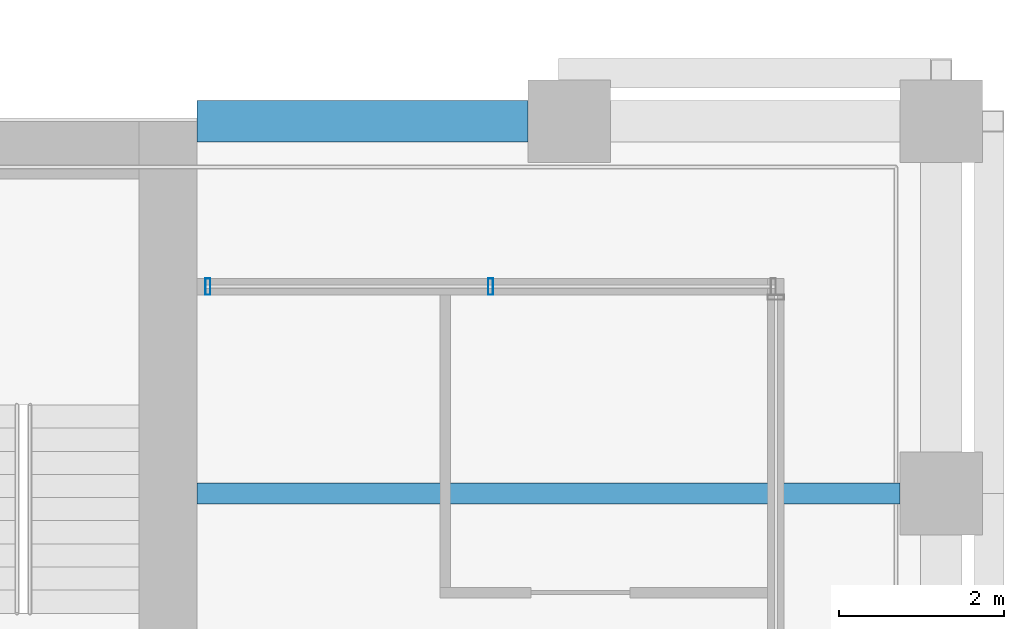
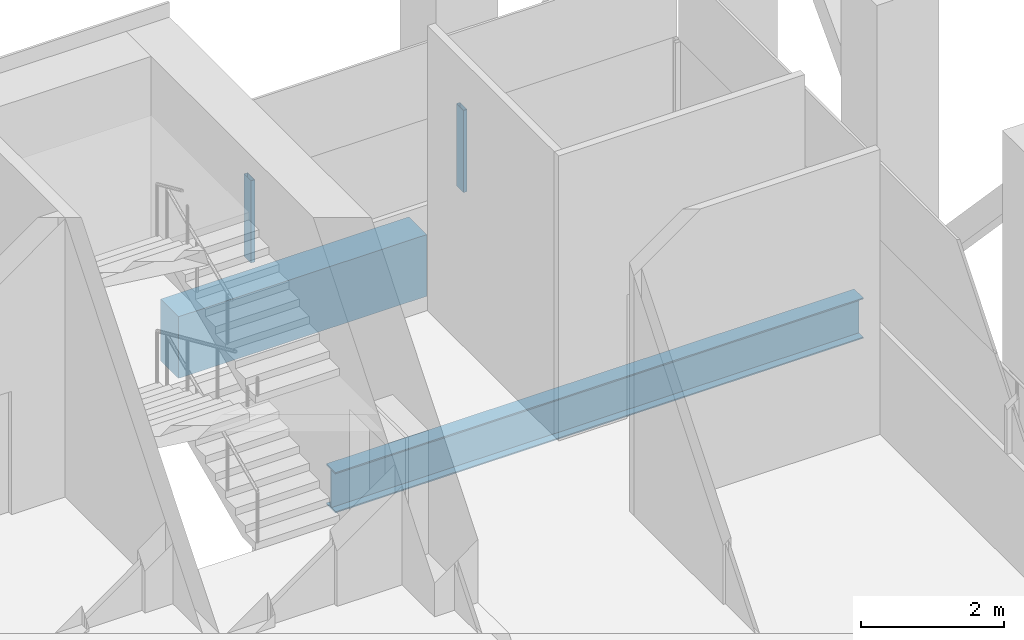
# One storey, part 27 of 48: 2 beams, 2 members, 1 element without a shape of its own.
"""IFC4 building model written with IfcOpenShell, lengths in metres."""

import ifcopenshell
import ifcopenshell.guid

model = None  # the IFC model being written
_history = None  # IfcOwnerHistory: only IFC2X3 demands one
_inside = {}  # id of a spatial element -> (the spatial element, [elements in it])
_under = {}  # id of a project, library or spatial element -> (it, [spatial elements below it])
_declared = {}  # id of a project -> (the project, [libraries it declares])
_typed = {}  # id of a type object -> (the type object, [elements of that type])
_made_of = {}  # id of a material, layer set ... -> (it, [elements and type objects made of it])


def new_model(schema):
    """Start an empty IFC model of exactly this schema.

    Asked for "IFC4X3", IfcOpenShell would pick the latest addendum, in which some entities
    have other attributes; the version numbers below select the first issue.
    IFC2X3 requires an IfcOwnerHistory on every rooted entity: one is made here for all.
    """
    global model, _history
    if schema == "IFC4X3":
        model = ifcopenshell.file(schema_version=(4, 3, 0, 0))
    else:
        model = ifcopenshell.file(schema=schema)
    _inside.clear()
    _under.clear()
    _declared.clear()
    _typed.clear()
    _made_of.clear()
    _history = None
    if model.schema == "IFC2X3":
        org = make("IfcOrganization", Name="unknown")
        user = make(
            "IfcPersonAndOrganization",
            ThePerson=make("IfcPerson", FamilyName="unknown"),
            TheOrganization=org,
        )
        app = make(
            "IfcApplication",
            ApplicationDeveloper=org,
            Version="unknown",
            ApplicationFullName="unknown",
            ApplicationIdentifier="unknown",
        )
        _history = make(
            "IfcOwnerHistory",
            OwningUser=user,
            OwningApplication=app,
            ChangeAction="ADDED",
            CreationDate=0,
        )
    return model


def make(cls, **values):
    """One entity of the class cls with the attributes given. An attribute that is None is left unset."""
    return model.create_entity(
        cls, **{name: value for name, value in values.items() if value is not None}
    )


def rooted(cls, **values):
    """An entity with a GlobalId (a new one), such as an element, a storey or a relation."""
    return make(cls, GlobalId=ifcopenshell.guid.new(), OwnerHistory=_history, **values)


def si_unit(unit_type, name, prefix=None):
    """IfcSIUnit, for example si_unit("LENGTHUNIT", "METRE", prefix="MILLI")."""
    return make("IfcSIUnit", UnitType=unit_type, Prefix=prefix, Name=name)


def assignment(units):
    """IfcUnitAssignment: the units of a project."""
    return None if units is None else make("IfcUnitAssignment", Units=units)


def point(xyz):
    """IfcCartesianPoint."""
    return None if xyz is None else make("IfcCartesianPoint", Coordinates=xyz)


def direction(xyz):
    """IfcDirection."""
    return None if xyz is None else make("IfcDirection", DirectionRatios=xyz)


def frame(location, z_axis=None, x_axis=None):
    """IfcAxis2Placement3D, a coordinate frame: its origin and axes. An axis left out is left unset."""
    return make(
        "IfcAxis2Placement3D",
        Location=point(location),
        Axis=direction(z_axis),
        RefDirection=direction(x_axis),
    )


def frame_2d(location, x_axis=None):
    """IfcAxis2Placement2D, a coordinate frame in the plane: its origin and x axis."""
    return make(
        "IfcAxis2Placement2D", Location=point(location), RefDirection=direction(x_axis)
    )


def origin():
    """The frame at (0, 0, 0) with its axes left unset."""
    return frame((0.0, 0.0, 0.0))


def origin_2d():
    """The frame at (0, 0) in the plane with its x axis left unset."""
    return frame_2d((0.0, 0.0))


def place(relative_to, where):
    """IfcLocalPlacement: puts the frame where relative to a parent placement (None: the world)."""
    return make(
        "IfcLocalPlacement", PlacementRelTo=relative_to, RelativePlacement=where
    )


def context(
    kind, dimensions, precision=None, world=None, true_north=None, identifier=None
):
    """IfcGeometricRepresentationContext, for example the 3D "Model" context."""
    return make(
        "IfcGeometricRepresentationContext",
        ContextIdentifier=identifier,
        ContextType=kind,
        CoordinateSpaceDimension=dimensions,
        Precision=precision,
        WorldCoordinateSystem=world,
        TrueNorth=true_north,
    )


def subcontext(parent, identifier, kind, view, scale=None):
    """IfcGeometricRepresentationSubContext, for example "Body" below "Model"."""
    return make(
        "IfcGeometricRepresentationSubContext",
        ContextIdentifier=identifier,
        ContextType=kind,
        ParentContext=parent,
        TargetScale=scale,
        TargetView=view,
    )


def project(units=None, contexts=None):
    """IfcProject with its units and contexts."""
    return rooted(
        "IfcProject",
        Name="project",
        RepresentationContexts=contexts,
        UnitsInContext=assignment(units),
    )


def spatial(cls, under=None, at=None, **own):
    """A site, building, storey or space (cls), placed at a placement, below another one or the project."""
    s = rooted(cls, ObjectPlacement=at, **own)
    if under is not None:
        _under.setdefault(under.id(), (under, []))[1].append(s)
    return s


def profile(cls, at=None, kind="AREA", **sizes):
    """A parametric profile (cls). Its sizes go by their IFC names, for example OverallWidth=200.0."""
    return make(cls, ProfileType=kind, Position=at, **sizes)


def rectangle(**sizes):
    """IfcRectangleProfileDef."""
    return profile("IfcRectangleProfileDef", **sizes)


def hollow_rectangle(**sizes):
    """IfcRectangleHollowProfileDef."""
    return profile("IfcRectangleHollowProfileDef", **sizes)


def i_section(**sizes):
    """IfcIShapeProfileDef."""
    return profile("IfcIShapeProfileDef", **sizes)


def extrude(swept, where, along, depth):
    """IfcExtrudedAreaSolid: the profile swept, set in the frame where, extruded along a direction by depth."""
    return make(
        "IfcExtrudedAreaSolid",
        SweptArea=swept,
        Position=where,
        ExtrudedDirection=direction(along),
        Depth=depth,
    )


def shape(context_of_items, identifier, shape_type, items):
    """IfcShapeRepresentation: the items that make up one representation, for example the "Body"."""
    return make(
        "IfcShapeRepresentation",
        ContextOfItems=context_of_items,
        RepresentationIdentifier=identifier,
        RepresentationType=shape_type,
        Items=items,
    )


def material(Name=None, Category=None):
    """IfcMaterial."""
    return make("IfcMaterial", Name=Name, Category=Category)


def material_profile(
    of_material, cross_section, Name=None, Category=None, Priority=None
):
    """IfcMaterialProfile: a cross section and its material."""
    return make(
        "IfcMaterialProfile",
        Name=Name,
        Material=of_material,
        Profile=cross_section,
        Priority=Priority,
        Category=Category,
    )


def profile_set(profiles, Name=None, composite=None):
    """IfcMaterialProfileSet."""
    return make(
        "IfcMaterialProfileSet",
        Name=Name,
        MaterialProfiles=profiles,
        CompositeProfile=composite,
    )


def made_of(thing, what):
    """Note that an element or type object is made of a material, layer set ...; save() writes the relation."""
    if what is not None:
        _made_of.setdefault(what.id(), (what, []))[1].append(thing)
    return thing


def type_object(cls, material=None, **own):
    """A type object (cls), such as IfcWallType, which elements share."""
    return made_of(rooted(cls, **own), material)


def element(
    cls,
    number,
    at=None,
    inside=None,
    cuts=None,
    type_object=None,
    material=None,
    context=None,
    identifier="Body",
    shape_type=None,
    held_by="IfcProductDefinitionShape",
    body=None,
    shapes=None,
    **own,
):
    """One element of the class cls, such as IfcWall. Its Tag is "e" and its number.

    at: its placement. inside: the storey or other place that contains it. cuts: it is an
    opening in that element (IfcRelVoidsElement). A single representation is given by context,
    identifier, shape_type and body (its items); several are given by shapes. held_by: the class
    of the entity that holds the representations. save() writes the other relations.
    """
    e = rooted(cls, Tag="e%d" % number, ObjectPlacement=at, **own)
    if body is not None:
        shapes = [shape(context, identifier, shape_type, body)]
    if shapes is not None:
        e.Representation = make(held_by, Representations=shapes)
    if inside is not None:
        _inside.setdefault(inside.id(), (inside, []))[1].append(e)
    if cuts is not None:
        rooted(
            "IfcRelVoidsElement", RelatingBuildingElement=cuts, RelatedOpeningElement=e
        )
    if type_object is not None:
        _typed.setdefault(type_object.id(), (type_object, []))[1].append(e)
    return made_of(e, material)


def aggregate(whole, parts):
    """IfcRelAggregates: a whole, such as a stair, and the parts it consists of."""
    return rooted("IfcRelAggregates", RelatingObject=whole, RelatedObjects=parts)


def save(model, path):
    """Write the relations noted so far, then the file.

    IfcRelAggregates (storeys below a building ...), IfcRelContainedInSpatialStructure (elements
    in a storey), IfcRelDefinesByType, IfcRelAssociatesMaterial and IfcRelDeclares: one each for
    every whole, place, type object, material and project.
    """
    for whole, parts in _under.values():
        aggregate(whole, parts)
    for where, things in _inside.values():
        rooted(
            "IfcRelContainedInSpatialStructure",
            RelatedElements=things,
            RelatingStructure=where,
        )
    for kind, things in _typed.values():
        rooted("IfcRelDefinesByType", RelatedObjects=things, RelatingType=kind)
    for what, things in _made_of.values():
        rooted("IfcRelAssociatesMaterial", RelatedObjects=things, RelatingMaterial=what)
    for by, libraries in _declared.values():
        rooted("IfcRelDeclares", RelatingContext=by, RelatedDefinitions=libraries)
    model.write(path)


model = new_model("IFC4")

# Units and contexts
model_context = context("Model", 3, precision=1e-05, world=origin(), true_north=direction((0.0, 1.0)))
body_context = subcontext(model_context, "Body", "Model", "MODEL_VIEW")
ifc_project = project(units=[si_unit("LENGTHUNIT", "METRE"), si_unit("AREAUNIT", "SQUARE_METRE"), si_unit("VOLUMEUNIT", "CUBIC_METRE"), si_unit("PLANEANGLEUNIT", "RADIAN"), si_unit("MASSUNIT", "GRAM", prefix="KILO")], contexts=[model_context])

# Site, building, storey
site_placement = place(None, origin())
site = spatial("IfcSite", under=ifc_project, at=site_placement, CompositionType="ELEMENT")
building_placement = place(site_placement, origin())
building = spatial("IfcBuilding", under=site, at=building_placement, Name="Altepetl Exchange Towers", CompositionType="ELEMENT")
storey_placement = place(building_placement, frame((0.0, 0.0, 138.800048828125)))
storey = spatial("IfcBuildingStorey", under=building, at=storey_placement, Name="L34 Refuge and sky lobby", CompositionType="ELEMENT", Elevation=138.800048828125)

# Beam
ifc_material_1 = material(Name="Steel S355", Category="steel")
ifc_material_profile_1 = material_profile(ifc_material_1, i_section(OverallWidth=0.25390625, OverallDepth=0.68798828125, WebThickness=0.01318359375, FlangeThickness=0.02099609375, at=origin_2d()), Name="W27X102")
ifc_profile_set_1 = profile_set([ifc_material_profile_1], Name="Steel S355")
beam_type_1 = type_object("IfcBeamType", Name="Floor beam W27X102", PredefinedType="BEAM", material=ifc_profile_set_1)
beam_1_placement = place(storey_placement, frame((117.0, 45.0, -0.5439453125), z_axis=(1.0, 0.0, 0.0), x_axis=(0.0, 1.0, 0.0)))
element("IfcBeam", 1, at=beam_1_placement, inside=storey, type_object=beam_type_1, Name="bm:B:L34:003", PredefinedType="BEAM", context=body_context, shape_type="SweptSolid", body=[
    extrude(i_section(OverallWidth=0.25390625, OverallDepth=0.68798828125, WebThickness=0.01318359375, FlangeThickness=0.02099609375, at=origin_2d()), origin(), (0.0, 0.0, 1.0), 8.5),
])

# Curtain wall, members
ifc_material_2 = material(Name="Aluminium 6063-T6 glazing", Category="aluminium")
curtain_wall_type = type_object("IfcCurtainWallType", Name="Refuge slit glazing system", PredefinedType="NOTDEFINED", material=ifc_material_2)
curtain_wall_placement = place(storey_placement, origin())
curtain_wall = element("IfcCurtainWall", 2, at=curtain_wall_placement, inside=storey, type_object=curtain_wall_type, Name="CW3 run", PredefinedType="NOTDEFINED")
ifc_material_3 = material(Name="Aluminium 6063-T6", Category="aluminium")
ifc_material_profile_2 = material_profile(ifc_material_3, hollow_rectangle(XDim=0.06005859375, YDim=0.199951171875, WallThickness=0.0029296875, at=origin_2d()), Name="Mullion 60x200 aluminium")
ifc_profile_set_2 = profile_set([ifc_material_profile_2], Name="Aluminium 6063-T6")
member_type = type_object("IfcMemberType", Name="Mullion 60x200 aluminium", PredefinedType="MULLION", material=ifc_profile_set_2)
member_1_placement = place(storey_placement, frame((120.550048828125, 47.5, 1.800048828125), z_axis=(0.0, 0.0, 1.0), x_axis=(-1.0, 0.0, 0.0)))
member_1 = element("IfcMember", 3, at=member_1_placement, type_object=member_type, Name="MU2 mullion", PredefinedType="MULLION", context=body_context, shape_type="SweptSolid", body=[
    extrude(hollow_rectangle(XDim=0.06005859375, YDim=0.199951171875, WallThickness=0.0029296875, at=origin_2d()), origin(), (0.0, 0.0, 1.0), 1.39990234375),
])
member_2_placement = place(storey_placement, frame((117.1298828125, 47.5, 1.800048828125), z_axis=(0.0, 0.0, 1.0), x_axis=(-1.0, 0.0, 0.0)))
member_2 = element("IfcMember", 4, at=member_2_placement, type_object=member_type, Name="MU2 mullion", PredefinedType="MULLION", context=body_context, shape_type="SweptSolid", body=[
    extrude(hollow_rectangle(XDim=0.06005859375, YDim=0.199951171875, WallThickness=0.0029296875, at=origin_2d()), origin(), (0.0, 0.0, 1.0), 1.39990234375),
])
aggregate(curtain_wall, [member_1, member_2])

# Beam
ifc_material_4 = material(Name="Concrete C50/60 precast with cantera amarilla facing", Category="concrete")
ifc_material_profile_3 = material_profile(ifc_material_4, rectangle(XDim=0.5, YDim=1.050048828125, at=origin_2d()), Name="500 x 1050")
ifc_profile_set_3 = profile_set([ifc_material_profile_3], Name="Concrete C50/60 precast with cantera amarilla facing")
beam_type_2 = type_object("IfcBeamType", Name="Spandrel beam 500x1050 cantera amarilla", PredefinedType="SPANDREL", material=ifc_profile_set_3)
beam_2_placement = place(storey_placement, frame((121.0, 49.5, -0.72509765625), z_axis=(-1.0, 0.0, 0.0), x_axis=(0.0, -1.0, 0.0)))
element("IfcBeam", 5, at=beam_2_placement, inside=storey, type_object=beam_type_2, Name="sp:B:L34:014", PredefinedType="SPANDREL", context=body_context, shape_type="SweptSolid", body=[
    extrude(rectangle(XDim=0.5, YDim=1.050048828125, at=origin_2d()), origin(), (0.0, 0.0, 1.0), 4.0),
])

save(model, "model.ifc")
